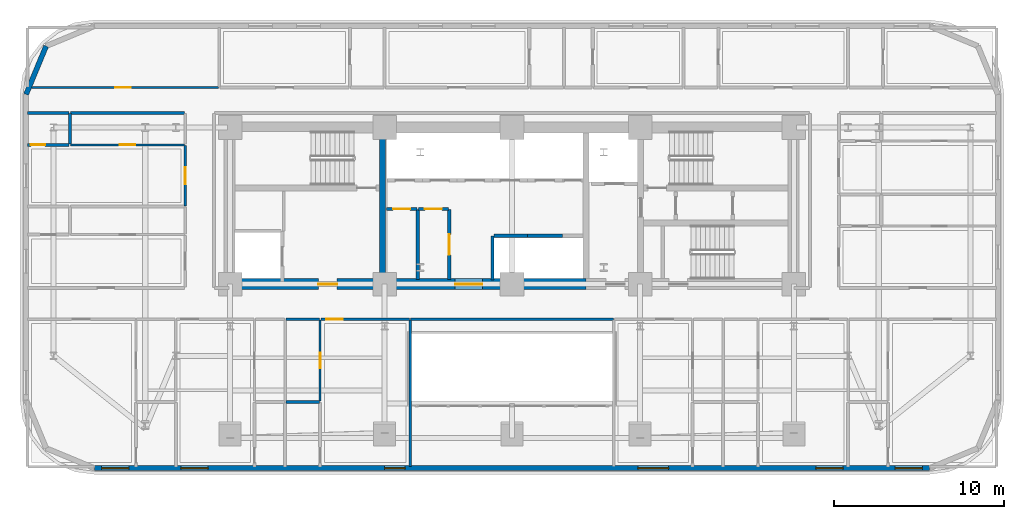
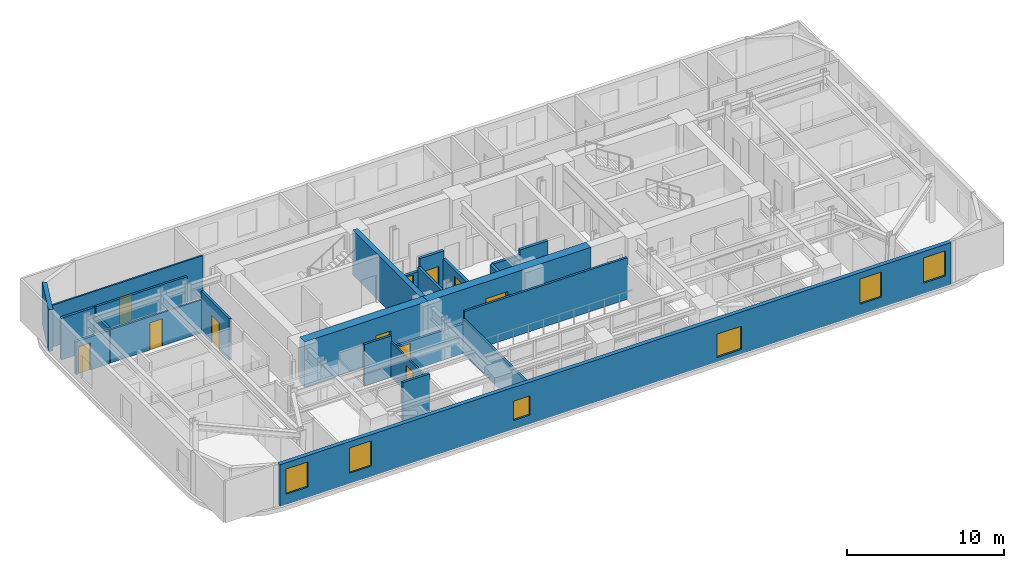
# One storey, part 9 of 16: 25 walls, 11 doors, 6 windows, 17 openings.
"""IFC4 building model written with IfcOpenShell, lengths in metres."""

from ifc_helpers import new_model, si_unit, direction, frame, frame_2d, origin, place, context, subcontext, project, spatial, rectangle, extrude, material, layer, layer_set, type_object, element, fill, save


model = new_model("IFC4")

# Units and contexts
model_context = context("Model", 3, precision=1e-05, world=origin(), true_north=direction((0.0, 1.0)))
body_context = subcontext(model_context, "Body", "Model", "MODEL_VIEW")
ifc_project = project(units=[si_unit("LENGTHUNIT", "METRE"), si_unit("AREAUNIT", "SQUARE_METRE"), si_unit("VOLUMEUNIT", "CUBIC_METRE"), si_unit("PLANEANGLEUNIT", "RADIAN"), si_unit("MASSUNIT", "GRAM", prefix="KILO")], contexts=[model_context])

# Site, building, storey
site_placement = place(None, origin())
site = spatial("IfcSite", under=ifc_project, at=site_placement, CompositionType="ELEMENT")
building_placement = place(site_placement, origin())
building = spatial("IfcBuilding", under=site, at=building_placement, Name="Zarnavel Station Tower", CompositionType="ELEMENT")
storey_placement = place(building_placement, frame((0.0, 0.0, 79.300048828125)))
storey = spatial("IfcBuildingStorey", under=building, at=storey_placement, Name="L21", CompositionType="ELEMENT", Elevation=79.300048828125)

# Wall
ifc_material_1 = material(Name="Concrete C50/60", Category="concrete")
ifc_layer_1 = layer(ifc_material_1, 0.35009765625)
ifc_layer_set_1 = layer_set([ifc_layer_1], Name="CW_350")
wall_type_1 = type_object("IfcWallType", Name="CW_350", PredefinedType="SHEAR", material=ifc_layer_set_1)
wall_1_placement = place(storey_placement, frame((21.179931640625, 28.14501953125, 0.0), z_axis=(0.0, 0.0, 1.0), x_axis=(0.0, 1.0, 0.0)))
element("IfcWall", 1, at=wall_1_placement, inside=storey, type_object=wall_type_1, Name="L21 Rear Core Shear Wall DIV-W", PredefinedType="SHEAR", context=body_context, shape_type="SweptSolid", body=[
    extrude(rectangle(XDim=8.580078125, YDim=0.35009765625, at=frame_2d((4.2900390625, 0.0))), origin(), (0.0, 0.0, 1.0), 3.5),
])

# Wall, opening, door
ifc_material_2 = material(Name="Concrete C60/75", Category="concrete")
ifc_layer_2 = layer(ifc_material_2, 0.64990234375)
ifc_layer_set_2 = layer_set([ifc_layer_2], Name="CW_650")
wall_type_2 = type_object("IfcWallType", Name="CW_650", PredefinedType="SHEAR", material=ifc_layer_set_2)
wall_2_placement = place(storey_placement, frame((21.179931640625, 27.820068359375, 0.0), z_axis=(0.0, 0.0, 1.0), x_axis=(-1.0, 0.0, 0.0)))
wall_2 = element("IfcWall", 2, at=wall_2_placement, inside=storey, type_object=wall_type_2, Name="L21 Rear Core Shear Wall S-W", PredefinedType="SHEAR", context=body_context, shape_type="SweptSolid", body=[
    extrude(rectangle(XDim=9.030029296875, YDim=0.64990234375, at=frame_2d((4.51513671875, 0.0))), origin(), (0.0, 0.0, 1.0), 3.5),
])
opening_1_placement = place(wall_2_placement, frame((2.679931640625, 0.0, 0.0)))
opening_1 = element("IfcOpeningElement", 3, at=opening_1_placement, cuts=wall_2, Name="Opening FD01", PredefinedType="OPENING", context=body_context, shape_type="SweptSolid", body=[
    extrude(rectangle(XDim=1.10009765625, YDim=2.14990234375, at=frame_2d((0.550048828125, 1.074951171875))), frame((0.0, 0.3349609375, 0.0), z_axis=(0.0, -1.0, 0.0), x_axis=(1.0, 0.0, 0.0)), (0.0, 0.0, 1.0), 0.669921875),
])
ifc_material_3 = material(Name="Painted Galvanised Steel and Hardwood Leaf", Category="steel")
door_type_1 = type_object("IfcDoorType", Name="ID_STAIR_1100", OperationType="NOTDEFINED", PredefinedType="DOOR", material=ifc_material_3)
door_1_placement = place(opening_1_placement, origin())
door_1 = element("IfcDoor", 4, at=door_1_placement, inside=storey, type_object=door_type_1, Name="L21 West Firefighting Lobby Door", OperationType="SINGLE_SWING_RIGHT", OverallHeight=2.14990234375, OverallWidth=1.10009765625, PredefinedType="DOOR", context=body_context, shape_type="SweptSolid", body=[
    extrude(rectangle(XDim=1.10009765625, YDim=2.14990234375, at=frame_2d((0.550048828125, 1.074951171875))), frame((0.0, 0.02490234375, 0.0), z_axis=(0.0, -1.0, 0.0), x_axis=(1.0, 0.0, 0.0)), (0.0, 0.0, 1.0), 0.050048828125),
])
fill(opening_1, door_1)

wall_3_placement = place(storey_placement, frame((33.14990234375, 27.820068359375, 0.0), z_axis=(0.0, 0.0, 1.0), x_axis=(-1.0, 0.0, 0.0)))
wall_3 = element("IfcWall", 5, at=wall_3_placement, inside=storey, type_object=wall_type_2, Name="L21 Rear Core Shear Wall S-M", PredefinedType="SHEAR", context=body_context, shape_type="SweptSolid", body=[
    extrude(rectangle(XDim=11.969970703125, YDim=0.64990234375, at=frame_2d((5.98486328125, 0.0))), origin(), (0.0, 0.0, 1.0), 3.5),
])
opening_2_placement = place(wall_3_placement, frame((6.10009765625, 0.0, 0.0)))
opening_2 = element("IfcOpeningElement", 6, at=opening_2_placement, cuts=wall_3, Name="Opening ID03", PredefinedType="OPENING", context=body_context, shape_type="SweptSolid", body=[
    extrude(rectangle(XDim=1.60009765625, YDim=2.199951171875, at=frame_2d((0.800048828125, 1.10009765625))), frame((0.0, 0.3349609375, 0.0), z_axis=(0.0, -1.0, 0.0), x_axis=(1.0, 0.0, 0.0)), (0.0, 0.0, 1.0), 0.669921875),
])
ifc_material_4 = material(Name="Painted Galvanised Steel and Hardwood Leaf", Category="steel")
door_type_2 = type_object("IfcDoorType", Name="ID_PUBLIC_1600", OperationType="DOUBLE_DOOR_SINGLE_SWING", PredefinedType="DOOR", material=ifc_material_4)
door_2_placement = place(opening_2_placement, origin())
door_2 = element("IfcDoor", 7, at=door_2_placement, inside=storey, type_object=door_type_2, Name="L21 Passenger Lift Lobby Double Door", OperationType="SINGLE_SWING_LEFT", OverallHeight=2.199951171875, OverallWidth=1.60009765625, PredefinedType="DOOR", context=body_context, shape_type="SweptSolid", body=[
    extrude(rectangle(XDim=1.60009765625, YDim=2.199951171875, at=frame_2d((0.800048828125, 1.10009765625))), frame((0.0, 0.02490234375, 0.0), z_axis=(0.0, -1.0, 0.0), x_axis=(1.0, 0.0, 0.0)), (0.0, 0.0, 1.0), 0.050048828125),
])
fill(opening_2, door_2)

# Wall
ifc_material_5 = material(Name="Precast concrete C45/55 (Dark Basalt Finish)", Category="masonry")
ifc_layer_3 = layer(ifc_material_5, 0.300048828125)
ifc_layer_set_3 = layer_set([ifc_layer_3], Name="EW_BASALT_300")
wall_type_3 = type_object("IfcWallType", Name="EW_BASALT_300", PredefinedType="SOLIDWALL", material=ifc_layer_set_3)
wall_4_placement = place(storey_placement, frame((0.179931640625, 39.0, 0.0), z_axis=(0.0, 0.0, 1.0), x_axis=(0.382704529509, 0.923870793506, 0.0)))
element("IfcWall", 8, at=wall_4_placement, inside=storey, type_object=wall_type_3, Name="L21 Exterior Basalt Masonry Frame Wall 08", PredefinedType="SOLIDWALL", context=body_context, shape_type="SweptSolid", body=[
    extrude(rectangle(XDim=3.07666015625, YDim=0.300048828125, at=frame_2d((1.538330078125, 0.0))), origin(), (0.0, 0.0, 1.0), 3.239990234375),
])

# Wall, openings, windows
wall_5_placement = place(storey_placement, frame((53.39990234375, 16.97998046875, 0.0), z_axis=(0.0, 0.0, 1.0), x_axis=(-1.0, 0.0, 0.0)))
wall_5 = element("IfcWall", 9, at=wall_5_placement, inside=storey, type_object=wall_type_3, Name="L21 Exterior Basalt Masonry Frame Wall 12", PredefinedType="SOLIDWALL", context=body_context, shape_type="SweptSolid", body=[
    extrude(rectangle(XDim=49.199951171875, YDim=0.300048828125, at=frame_2d((24.60009765625, 0.0))), origin(), (0.0, 0.0, 1.0), 3.239990234375),
])
opening_3_placement = place(wall_5_placement, frame((47.1650390625, 0.0, 0.800048828125)))
opening_3 = element("IfcOpeningElement", 10, at=opening_3_placement, cuts=wall_5, Name="Opening WN06", PredefinedType="OPENING", context=body_context, shape_type="SweptSolid", body=[
    extrude(rectangle(XDim=1.60009765625, YDim=1.949951171875, at=frame_2d((0.800048828125, 0.97509765625))), frame((0.0, 0.159912109375, 0.0), z_axis=(0.0, -1.0, 0.0), x_axis=(1.0, 0.0, 0.0)), (0.0, 0.0, 1.0), 0.320068359375),
])
opening_4_placement = place(wall_5_placement, frame((42.5, 0.0, 0.800048828125)))
opening_4 = element("IfcOpeningElement", 11, at=opening_4_placement, cuts=wall_5, Name="Opening WN06", PredefinedType="OPENING", context=body_context, shape_type="SweptSolid", body=[
    extrude(rectangle(XDim=1.60009765625, YDim=1.949951171875, at=frame_2d((0.800048828125, 0.97509765625))), frame((0.0, 0.159912109375, 0.0), z_axis=(0.0, -1.0, 0.0), x_axis=(1.0, 0.0, 0.0)), (0.0, 0.0, 1.0), 0.320068359375),
])
opening_5_placement = place(wall_5_placement, frame((30.89990234375, 0.0, 0.679931640625)))
opening_5 = element("IfcOpeningElement", 12, at=opening_5_placement, cuts=wall_5, Name="Opening WN08", PredefinedType="OPENING", context=body_context, shape_type="SweptSolid", body=[
    extrude(rectangle(XDim=1.199951171875, YDim=1.5, at=frame_2d((0.60009765625, 0.75))), frame((0.0, 0.159912109375, 0.0), z_axis=(0.0, -1.0, 0.0), x_axis=(1.0, 0.0, 0.0)), (0.0, 0.0, 1.0), 0.320068359375),
])
opening_6_placement = place(wall_5_placement, frame((15.381591796875, 0.0, 0.340087890625)))
opening_6 = element("IfcOpeningElement", 13, at=opening_6_placement, cuts=wall_5, Name="Opening WN02", PredefinedType="OPENING", context=body_context, shape_type="SweptSolid", body=[
    extrude(rectangle(XDim=1.800048828125, YDim=1.800048828125, at=frame_2d((0.89990234375, 0.89990234375))), frame((0.0, 0.159912109375, 0.0), z_axis=(0.0, -1.0, 0.0), x_axis=(1.0, 0.0, 0.0)), (0.0, 0.0, 1.0), 0.320068359375),
])
opening_7_placement = place(wall_5_placement, frame((5.10009765625, 0.0, 0.800048828125)))
opening_7 = element("IfcOpeningElement", 14, at=opening_7_placement, cuts=wall_5, Name="Opening WN06", PredefinedType="OPENING", context=body_context, shape_type="SweptSolid", body=[
    extrude(rectangle(XDim=1.60009765625, YDim=1.949951171875, at=frame_2d((0.800048828125, 0.97509765625))), frame((0.0, 0.159912109375, 0.0), z_axis=(0.0, -1.0, 0.0), x_axis=(1.0, 0.0, 0.0)), (0.0, 0.0, 1.0), 0.320068359375),
])
opening_8_placement = place(wall_5_placement, frame((0.43505859375, 0.0, 0.800048828125)))
opening_8 = element("IfcOpeningElement", 15, at=opening_8_placement, cuts=wall_5, Name="Opening WN06", PredefinedType="OPENING", context=body_context, shape_type="SweptSolid", body=[
    extrude(rectangle(XDim=1.60009765625, YDim=1.949951171875, at=frame_2d((0.800048828125, 0.97509765625))), frame((0.0, 0.159912109375, 0.0), z_axis=(0.0, -1.0, 0.0), x_axis=(1.0, 0.0, 0.0)), (0.0, 0.0, 1.0), 0.320068359375),
])
ifc_material_6 = material(Name="Thermally Broken Black Aluminium and Low-E Dark Glass", Category="aluminium")
window_type_1 = type_object("IfcWindowType", Name="WN_1200x1500", PartitioningType="SINGLE_PANEL", PredefinedType="WINDOW", material=ifc_material_6)
window_1_placement = place(opening_5_placement, origin())
window_1 = element("IfcWindow", 16, at=window_1_placement, inside=storey, type_object=window_type_1, Name="L21 Recessed Facade Window 03", OverallHeight=1.5, OverallWidth=1.199951171875, PartitioningType="SINGLE_PANEL", PredefinedType="WINDOW", context=body_context, shape_type="SweptSolid", body=[
    extrude(rectangle(XDim=1.199951171875, YDim=1.5, at=frame_2d((0.60009765625, 0.75))), frame((0.0, 0.030029296875, 0.0), z_axis=(0.0, -1.0, 0.0), x_axis=(1.0, 0.0, 0.0)), (0.0, 0.0, 1.0), 0.06005859375),
])
fill(opening_5, window_1)
ifc_material_7 = material(Name="Thermally Broken Black Aluminium and Low-E Dark Glass", Category="aluminium")
window_type_2 = type_object("IfcWindowType", Name="WN_1600x1950", PartitioningType="DOUBLE_PANEL_VERTICAL", PredefinedType="WINDOW", material=ifc_material_7)
window_2_placement = place(opening_3_placement, origin())
window_2 = element("IfcWindow", 17, at=window_2_placement, inside=storey, type_object=window_type_2, Name="L21 Recessed Facade Window 01", OverallHeight=1.949951171875, OverallWidth=1.60009765625, PartitioningType="SINGLE_PANEL", PredefinedType="WINDOW", context=body_context, shape_type="SweptSolid", body=[
    extrude(rectangle(XDim=1.60009765625, YDim=1.949951171875, at=frame_2d((0.800048828125, 0.97509765625))), frame((0.0, 0.030029296875, 0.0), z_axis=(0.0, -1.0, 0.0), x_axis=(1.0, 0.0, 0.0)), (0.0, 0.0, 1.0), 0.06005859375),
])
fill(opening_3, window_2)
window_3_placement = place(opening_4_placement, origin())
window_3 = element("IfcWindow", 18, at=window_3_placement, inside=storey, type_object=window_type_2, Name="L21 Recessed Facade Window 02", OverallHeight=1.949951171875, OverallWidth=1.60009765625, PartitioningType="SINGLE_PANEL", PredefinedType="WINDOW", context=body_context, shape_type="SweptSolid", body=[
    extrude(rectangle(XDim=1.60009765625, YDim=1.949951171875, at=frame_2d((0.800048828125, 0.97509765625))), frame((0.0, 0.030029296875, 0.0), z_axis=(0.0, -1.0, 0.0), x_axis=(1.0, 0.0, 0.0)), (0.0, 0.0, 1.0), 0.06005859375),
])
fill(opening_4, window_3)
window_4_placement = place(opening_7_placement, origin())
window_4 = element("IfcWindow", 19, at=window_4_placement, inside=storey, type_object=window_type_2, Name="L21 Recessed Facade Window 05", OverallHeight=1.949951171875, OverallWidth=1.60009765625, PartitioningType="SINGLE_PANEL", PredefinedType="WINDOW", context=body_context, shape_type="SweptSolid", body=[
    extrude(rectangle(XDim=1.60009765625, YDim=1.949951171875, at=frame_2d((0.800048828125, 0.97509765625))), frame((0.0, 0.030029296875, 0.0), z_axis=(0.0, -1.0, 0.0), x_axis=(1.0, 0.0, 0.0)), (0.0, 0.0, 1.0), 0.06005859375),
])
fill(opening_7, window_4)
window_5_placement = place(opening_8_placement, origin())
window_5 = element("IfcWindow", 20, at=window_5_placement, inside=storey, type_object=window_type_2, Name="L21 Recessed Facade Window 06", OverallHeight=1.949951171875, OverallWidth=1.60009765625, PartitioningType="SINGLE_PANEL", PredefinedType="WINDOW", context=body_context, shape_type="SweptSolid", body=[
    extrude(rectangle(XDim=1.60009765625, YDim=1.949951171875, at=frame_2d((0.800048828125, 0.97509765625))), frame((0.0, 0.030029296875, 0.0), z_axis=(0.0, -1.0, 0.0), x_axis=(1.0, 0.0, 0.0)), (0.0, 0.0, 1.0), 0.06005859375),
])
fill(opening_8, window_5)
ifc_material_8 = material(Name="Thermally Broken Black Aluminium and Low-E Dark Glass", Category="aluminium")
window_type_3 = type_object("IfcWindowType", Name="WN_1800x1800", PartitioningType="DOUBLE_PANEL_VERTICAL", PredefinedType="WINDOW", material=ifc_material_8)
window_6_placement = place(opening_6_placement, origin())
window_6 = element("IfcWindow", 21, at=window_6_placement, inside=storey, type_object=window_type_3, Name="L21 Recessed Facade Window 04", OverallHeight=1.800048828125, OverallWidth=1.800048828125, PartitioningType="SINGLE_PANEL", PredefinedType="WINDOW", context=body_context, shape_type="SweptSolid", body=[
    extrude(rectangle(XDim=1.800048828125, YDim=1.800048828125, at=frame_2d((0.89990234375, 0.89990234375))), frame((0.0, 0.030029296875, 0.0), z_axis=(0.0, -1.0, 0.0), x_axis=(1.0, 0.0, 0.0)), (0.0, 0.0, 1.0), 0.06005859375),
])
fill(opening_6, window_6)

# Wall, opening, door
ifc_material_9 = material(Name="Gypsum Twin-Stud Acoustic Fire Partition", Category="concrete")
ifc_layer_4 = layer(ifc_material_9, 0.159912109375)
ifc_layer_set_4 = layer_set([ifc_layer_4], Name="PT_DEMISE_160")
wall_type_4 = type_object("IfcWallType", Name="PT_DEMISE_160", PredefinedType="PARTITIONING", material=ifc_layer_set_4)
wall_6_placement = place(storey_placement, frame((17.541015625, 25.75, 0.0), z_axis=(0.0, 0.0, 1.0), x_axis=(1.0, 0.0, 0.0)))
wall_6 = element("IfcWall", 22, at=wall_6_placement, inside=storey, type_object=wall_type_4, Name="L21 Partition COR-S-HW3R", PredefinedType="PARTITIONING", context=body_context, shape_type="SweptSolid", body=[
    extrude(rectangle(XDim=5.218994140625, YDim=0.159912109375, at=frame_2d((2.609375, 0.0))), origin(), (0.0, 0.0, 1.0), 2.31005859375),
])
opening_9_placement = place(wall_6_placement, frame((0.30419921875, 0.0, 0.0)))
opening_9 = element("IfcOpeningElement", 23, at=opening_9_placement, cuts=wall_6, Name="Opening FD02", PredefinedType="OPENING", context=body_context, shape_type="SweptSolid", body=[
    extrude(rectangle(XDim=1.0, YDim=2.14990234375, at=frame_2d((0.5, 1.074951171875))), frame((0.0, 0.08984375, 0.0), z_axis=(0.0, -1.0, 0.0), x_axis=(1.0, 0.0, 0.0)), (0.0, 0.0, 1.0), 0.179931640625),
])
ifc_material_10 = material(Name="Painted Galvanised Steel and Hardwood Leaf", Category="steel")
door_type_3 = type_object("IfcDoorType", Name="ID_ENTRY_1000", OperationType="NOTDEFINED", PredefinedType="DOOR", material=ifc_material_10)
door_3_placement = place(opening_9_placement, origin())
door_3 = element("IfcDoor", 24, at=door_3_placement, inside=storey, type_object=door_type_3, Name="L21 Door COR-S-HW3R", OperationType="SINGLE_SWING_LEFT", OverallHeight=2.14990234375, OverallWidth=1.0, PredefinedType="DOOR", context=body_context, shape_type="SweptSolid", body=[
    extrude(rectangle(XDim=1.0, YDim=2.14990234375, at=frame_2d((0.5, 1.074951171875))), frame((0.0, 0.02490234375, 0.0), z_axis=(0.0, -1.0, 0.0), x_axis=(1.0, 0.0, 0.0)), (0.0, 0.0, 1.0), 0.050048828125),
])
fill(opening_9, door_3)

# Wall
wall_7_placement = place(storey_placement, frame((15.47998046875, 25.75, 0.0), z_axis=(0.0, 0.0, 1.0), x_axis=(1.0, 0.0, 0.0)))
element("IfcWall", 25, at=wall_7_placement, inside=storey, type_object=wall_type_4, Name="L21 Partition COR-S-HW3S", PredefinedType="PARTITIONING", context=body_context, shape_type="SweptSolid", body=[
    extrude(rectangle(XDim=1.98095703125, YDim=0.159912109375, at=frame_2d((0.990478515625, 0.0))), origin(), (0.0, 0.0, 1.0), 3.239990234375),
])

# Wall, opening, door
wall_8_placement = place(storey_placement, frame((9.550048828125, 32.430908203125, 0.0), z_axis=(0.0, 0.0, 1.0), x_axis=(0.0, 1.0, 0.0)))
wall_8 = element("IfcWall", 26, at=wall_8_placement, inside=storey, type_object=wall_type_4, Name="L21 Partition COR-W-FNW2R", PredefinedType="PARTITIONING", context=body_context, shape_type="SweptSolid", body=[
    extrude(rectangle(XDim=3.55615234375, YDim=0.159912109375, at=frame_2d((1.778076171875, 0.0))), origin(), (0.0, 0.0, 1.0), 3.239990234375),
])
opening_10_placement = place(wall_8_placement, frame((1.278076171875, 0.0, 0.0)))
opening_10 = element("IfcOpeningElement", 27, at=opening_10_placement, cuts=wall_8, Name="Opening FD02", PredefinedType="OPENING", context=body_context, shape_type="SweptSolid", body=[
    extrude(rectangle(XDim=1.0, YDim=2.14990234375, at=frame_2d((0.5, 1.074951171875))), frame((0.0, 0.08984375, 0.0), z_axis=(0.0, -1.0, 0.0), x_axis=(1.0, 0.0, 0.0)), (0.0, 0.0, 1.0), 0.179931640625),
])
door_4_placement = place(opening_10_placement, origin())
door_4 = element("IfcDoor", 28, at=door_4_placement, inside=storey, type_object=door_type_3, Name="L21 Door COR-W-FNW2R", OperationType="SINGLE_SWING_RIGHT", OverallHeight=2.14990234375, OverallWidth=1.0, PredefinedType="DOOR", context=body_context, shape_type="SweptSolid", body=[
    extrude(rectangle(XDim=1.0, YDim=2.14990234375, at=frame_2d((0.5, 1.074951171875))), frame((0.0, 0.02490234375, 0.0), z_axis=(0.0, -1.0, 0.0), x_axis=(1.0, 0.0, 0.0)), (0.0, 0.0, 1.0), 0.050048828125),
])
fill(opening_10, door_4)

# Walls
wall_9_placement = place(storey_placement, frame((2.800048828125, 37.89990234375, 0.0), z_axis=(0.0, 0.0, 1.0), x_axis=(1.0, 0.0, 0.0)))
element("IfcWall", 29, at=wall_9_placement, inside=storey, type_object=wall_type_4, Name="L21 Partition COR-N-FNW2S", PredefinedType="PARTITIONING", context=body_context, shape_type="SweptSolid", body=[
    extrude(rectangle(XDim=6.7099609375, YDim=0.159912109375, at=frame_2d((3.35498046875, 0.0))), origin(), (0.0, 0.0, 1.0), 3.239990234375),
])
wall_10_placement = place(storey_placement, frame((22.830078125, 25.75, 0.0), z_axis=(0.0, 0.0, 1.0), x_axis=(1.0, 0.0, 0.0)))
element("IfcWall", 30, at=wall_10_placement, inside=storey, type_object=wall_type_4, Name="L21 Enclosure Wall COR-S", PredefinedType="PARTITIONING", context=body_context, shape_type="SweptSolid", body=[
    extrude(rectangle(XDim=11.93994140625, YDim=0.159912109375, at=frame_2d((5.969970703125, 0.0))), origin(), (0.0, 0.0, 1.0), 3.239990234375),
])
wall_11_placement = place(storey_placement, frame((22.800048828125, 17.090087890625, 0.0), z_axis=(0.0, 0.0, 1.0), x_axis=(0.0, 1.0, 0.0)))
element("IfcWall", 31, at=wall_11_placement, inside=storey, type_object=wall_type_4, Name="L21 Enclosure Wall HW3R", PredefinedType="PARTITIONING", context=body_context, shape_type="SweptSolid", body=[
    extrude(rectangle(XDim=8.6298828125, YDim=0.159912109375, at=frame_2d((4.31494140625, 0.0))), origin(), (0.0, 0.0, 1.0), 2.679931640625),
])

# Wall, opening, door
ifc_material_11 = material(Name="Gypsum Metal-Stud Interior Partition", Category="concrete")
ifc_layer_5 = layer(ifc_material_11, 0.1201171875)
ifc_layer_set_5 = layer_set([ifc_layer_5], Name="PT_ROOM_120")
wall_type_5 = type_object("IfcWallType", Name="PT_ROOM_120", PredefinedType="PARTITIONING", material=ifc_layer_set_5)
wall_12_placement = place(storey_placement, frame((0.260009765625, 39.39990234375, 0.0), z_axis=(0.0, 0.0, 1.0), x_axis=(1.0, 0.0, 0.0)))
wall_12 = element("IfcWall", 32, at=wall_12_placement, inside=storey, type_object=wall_type_5, Name="L21 Partition COR-N-HSKP", PredefinedType="PARTITIONING", context=body_context, shape_type="SweptSolid", body=[
    extrude(rectangle(XDim=11.260009765625, YDim=0.1201171875, at=frame_2d((5.6298828125, 0.0))), origin(), (0.0, 0.0, 1.0), 3.239990234375),
])
opening_11_placement = place(wall_12_placement, frame((5.179931640625, 0.0, 0.0)))
opening_11 = element("IfcOpeningElement", 33, at=opening_11_placement, cuts=wall_12, Name="Opening ID01", PredefinedType="OPENING", context=body_context, shape_type="SweptSolid", body=[
    extrude(rectangle(XDim=0.89990234375, YDim=2.10009765625, at=frame_2d((0.449951171875, 1.050048828125))), frame((0.0, 0.070068359375, 0.0), z_axis=(0.0, -1.0, 0.0), x_axis=(1.0, 0.0, 0.0)), (0.0, 0.0, 1.0), 0.14013671875),
])
ifc_material_12 = material(Name="Painted Galvanised Steel and Hardwood Leaf", Category="steel")
door_type_4 = type_object("IfcDoorType", Name="ID_ROOM_900", OperationType="NOTDEFINED", PredefinedType="DOOR", material=ifc_material_12)
door_5_placement = place(opening_11_placement, origin())
door_5 = element("IfcDoor", 34, at=door_5_placement, inside=storey, type_object=door_type_4, Name="L21 Door COR-N-HSKP", OperationType="SINGLE_SWING_LEFT", OverallHeight=2.10009765625, OverallWidth=0.89990234375, PredefinedType="DOOR", context=body_context, shape_type="SweptSolid", body=[
    extrude(rectangle(XDim=0.89990234375, YDim=2.10009765625, at=frame_2d((0.449951171875, 1.050048828125))), frame((0.0, 0.02490234375, 0.0), z_axis=(0.0, -1.0, 0.0), x_axis=(1.0, 0.0, 0.0)), (0.0, 0.0, 1.0), 0.050048828125),
])
fill(opening_11, door_5)

wall_13_placement = place(storey_placement, frame((2.800048828125, 36.027099609375, 0.0), z_axis=(0.0, 0.0, 1.0), x_axis=(1.0, 0.0, 0.0)))
wall_13 = element("IfcWall", 35, at=wall_13_placement, inside=storey, type_object=wall_type_5, Name="L21 Partition FNW2R-FNW2S", PredefinedType="PARTITIONING", context=body_context, shape_type="SweptSolid", body=[
    extrude(rectangle(XDim=6.7099609375, YDim=0.1201171875, at=frame_2d((3.35498046875, 0.0))), origin(), (0.0, 0.0, 1.0), 2.570068359375),
])
opening_12_placement = place(wall_13_placement, frame((2.905029296875, 0.0, 0.0)))
opening_12 = element("IfcOpeningElement", 36, at=opening_12_placement, cuts=wall_13, Name="Opening ID01", PredefinedType="OPENING", context=body_context, shape_type="SweptSolid", body=[
    extrude(rectangle(XDim=0.89990234375, YDim=2.10009765625, at=frame_2d((0.449951171875, 1.050048828125))), frame((0.0, 0.070068359375, 0.0), z_axis=(0.0, -1.0, 0.0), x_axis=(1.0, 0.0, 0.0)), (0.0, 0.0, 1.0), 0.14013671875),
])
door_6_placement = place(opening_12_placement, origin())
door_6 = element("IfcDoor", 37, at=door_6_placement, inside=storey, type_object=door_type_4, Name="L21 Door FNW2R-FNW2S", OperationType="SINGLE_SWING_RIGHT", OverallHeight=2.10009765625, OverallWidth=0.89990234375, PredefinedType="DOOR", context=body_context, shape_type="SweptSolid", body=[
    extrude(rectangle(XDim=0.89990234375, YDim=2.10009765625, at=frame_2d((0.449951171875, 1.050048828125))), frame((0.0, 0.02490234375, 0.0), z_axis=(0.0, -1.0, 0.0), x_axis=(1.0, 0.0, 0.0)), (0.0, 0.0, 1.0), 0.050048828125),
])
fill(opening_12, door_6)

wall_14_placement = place(storey_placement, frame((17.5009765625, 20.924072265625, 0.0), z_axis=(0.0, 0.0, 1.0), x_axis=(0.0, 1.0, 0.0)))
wall_14 = element("IfcWall", 38, at=wall_14_placement, inside=storey, type_object=wall_type_5, Name="L21 Partition HW3R-HW3S", PredefinedType="PARTITIONING", context=body_context, shape_type="SweptSolid", body=[
    extrude(rectangle(XDim=4.785888671875, YDim=0.1201171875, at=frame_2d((2.39306640625, 0.0))), origin(), (0.0, 0.0, 1.0), 2.719970703125),
])
opening_13_placement = place(wall_14_placement, frame((1.943115234375, 0.0, 0.0)))
opening_13 = element("IfcOpeningElement", 39, at=opening_13_placement, cuts=wall_14, Name="Opening ID01", PredefinedType="OPENING", context=body_context, shape_type="SweptSolid", body=[
    extrude(rectangle(XDim=0.89990234375, YDim=2.10009765625, at=frame_2d((0.449951171875, 1.050048828125))), frame((0.0, 0.070068359375, 0.0), z_axis=(0.0, -1.0, 0.0), x_axis=(1.0, 0.0, 0.0)), (0.0, 0.0, 1.0), 0.14013671875),
])
door_7_placement = place(opening_13_placement, origin())
door_7 = element("IfcDoor", 40, at=door_7_placement, inside=storey, type_object=door_type_4, Name="L21 Door HW3R-HW3S", OperationType="SINGLE_SWING_LEFT", OverallHeight=2.10009765625, OverallWidth=0.89990234375, PredefinedType="DOOR", context=body_context, shape_type="SweptSolid", body=[
    extrude(rectangle(XDim=0.89990234375, YDim=2.10009765625, at=frame_2d((0.449951171875, 1.050048828125))), frame((0.0, 0.02490234375, 0.0), z_axis=(0.0, -1.0, 0.0), x_axis=(1.0, 0.0, 0.0)), (0.0, 0.0, 1.0), 0.050048828125),
])
fill(opening_13, door_7)

# Walls
ifc_material_13 = material(Name="Precast concrete C45/55 (Fire Shaft Blockwork)", Category="masonry")
ifc_layer_6 = layer(ifc_material_13, 0.199951171875)
ifc_layer_set_6 = layer_set([ifc_layer_6], Name="PT_SHAFT_200")
wall_type_6 = type_object("IfcWallType", Name="PT_SHAFT_200", PredefinedType="PARTITIONING", material=ifc_layer_set_6)
wall_15_placement = place(storey_placement, frame((27.75, 30.669921875, 0.0), z_axis=(0.0, 0.0, 1.0), x_axis=(1.0, 0.0, 0.0)))
element("IfcWall", 41, at=wall_15_placement, inside=storey, type_object=wall_type_6, Name="L21 Lift PL-H1 Shaft Front Wall", PredefinedType="PARTITIONING", context=body_context, shape_type="SweptSolid", body=[
    extrude(rectangle(XDim=1.97509765625, YDim=0.199951171875, at=frame_2d((0.987548828125, 0.0))), origin(), (0.0, 0.0, 1.0), 2.2119140625),
])
wall_16_placement = place(storey_placement, frame((27.64990234375, 28.070068359375, 0.0), z_axis=(0.0, 0.0, 1.0), x_axis=(0.0, 1.0, 0.0)))
element("IfcWall", 42, at=wall_16_placement, inside=storey, type_object=wall_type_6, Name="L21 High-Rise Lift Bank West Shaft Wall", PredefinedType="PARTITIONING", context=body_context, shape_type="SweptSolid", body=[
    extrude(rectangle(XDim=2.579833984375, YDim=0.199951171875, at=frame_2d((1.2900390625, 0.0))), origin(), (0.0, 0.0, 1.0), 2.2119140625),
])
wall_17_placement = place(storey_placement, frame((29.72509765625, 30.669921875, 0.0), z_axis=(0.0, 0.0, 1.0), x_axis=(1.0, 0.0, 0.0)))
element("IfcWall", 43, at=wall_17_placement, inside=storey, type_object=wall_type_6, Name="L21 Lift PL-H2 Shaft Front Wall", PredefinedType="PARTITIONING", context=body_context, shape_type="SweptSolid", body=[
    extrude(rectangle(XDim=2.0498046875, YDim=0.199951171875, at=frame_2d((1.02490234375, 0.0))), origin(), (0.0, 0.0, 1.0), 2.619873046875),
])

# Wall, opening, door
wall_18_placement = place(storey_placement, frame((21.39990234375, 32.25, 0.0), z_axis=(0.0, 0.0, 1.0), x_axis=(1.0, 0.0, 0.0)))
wall_18 = element("IfcWall", 44, at=wall_18_placement, inside=storey, type_object=wall_type_6, Name="L21 Partition LLOB-CS1", PredefinedType="PARTITIONING", context=body_context, shape_type="SweptSolid", body=[
    extrude(rectangle(XDim=1.81005859375, YDim=0.199951171875, at=frame_2d((0.905029296875, 0.0))), origin(), (0.0, 0.0, 1.0), 2.280029296875),
])
opening_14_placement = place(wall_18_placement, frame((0.405029296875, 0.0, 0.0)))
opening_14 = element("IfcOpeningElement", 45, at=opening_14_placement, cuts=wall_18, Name="Opening FD02", PredefinedType="OPENING", context=body_context, shape_type="SweptSolid", body=[
    extrude(rectangle(XDim=1.0, YDim=2.14990234375, at=frame_2d((0.5, 1.074951171875))), frame((0.0, 0.10986328125, 0.0), z_axis=(0.0, -1.0, 0.0), x_axis=(1.0, 0.0, 0.0)), (0.0, 0.0, 1.0), 0.219970703125),
])
door_8_placement = place(opening_14_placement, origin())
door_8 = element("IfcDoor", 46, at=door_8_placement, inside=storey, type_object=door_type_3, Name="L21 Door LLOB-CS1", OperationType="SINGLE_SWING_RIGHT", OverallHeight=2.14990234375, OverallWidth=1.0, PredefinedType="DOOR", context=body_context, shape_type="SweptSolid", body=[
    extrude(rectangle(XDim=1.0, YDim=2.14990234375, at=frame_2d((0.5, 1.074951171875))), frame((0.0, 0.02490234375, 0.0), z_axis=(0.0, -1.0, 0.0), x_axis=(1.0, 0.0, 0.0)), (0.0, 0.0, 1.0), 0.050048828125),
])
fill(opening_14, door_8)

wall_19_placement = place(storey_placement, frame((23.2900390625, 32.25, 0.0), z_axis=(0.0, 0.0, 1.0), x_axis=(1.0, 0.0, 0.0)))
wall_19 = element("IfcWall", 47, at=wall_19_placement, inside=storey, type_object=wall_type_6, Name="L21 Partition LLOB-CS2", PredefinedType="PARTITIONING", context=body_context, shape_type="SweptSolid", body=[
    extrude(rectangle(XDim=1.77001953125, YDim=0.199951171875, at=frame_2d((0.885009765625, 0.0))), origin(), (0.0, 0.0, 1.0), 3.239990234375),
])
opening_15_placement = place(wall_19_placement, frame((0.385009765625, 0.0, 0.0)))
opening_15 = element("IfcOpeningElement", 48, at=opening_15_placement, cuts=wall_19, Name="Opening FD02", PredefinedType="OPENING", context=body_context, shape_type="SweptSolid", body=[
    extrude(rectangle(XDim=1.0, YDim=2.14990234375, at=frame_2d((0.5, 1.074951171875))), frame((0.0, 0.10986328125, 0.0), z_axis=(0.0, -1.0, 0.0), x_axis=(1.0, 0.0, 0.0)), (0.0, 0.0, 1.0), 0.219970703125),
])
door_9_placement = place(opening_15_placement, origin())
door_9 = element("IfcDoor", 49, at=door_9_placement, inside=storey, type_object=door_type_3, Name="L21 Door LLOB-CS2", OperationType="SINGLE_SWING_LEFT", OverallHeight=2.14990234375, OverallWidth=1.0, PredefinedType="DOOR", context=body_context, shape_type="SweptSolid", body=[
    extrude(rectangle(XDim=1.0, YDim=2.14990234375, at=frame_2d((0.5, 1.074951171875))), frame((0.0, 0.02490234375, 0.0), z_axis=(0.0, -1.0, 0.0), x_axis=(1.0, 0.0, 0.0)), (0.0, 0.0, 1.0), 0.050048828125),
])
fill(opening_15, door_9)

wall_20_placement = place(storey_placement, frame((25.10009765625, 28.090087890625, 0.0), z_axis=(0.0, 0.0, 1.0), x_axis=(0.0, 1.0, 0.0)))
wall_20 = element("IfcWall", 50, at=wall_20_placement, inside=storey, type_object=wall_type_6, Name="L21 Partition LLOBS-CS2", PredefinedType="PARTITIONING", context=body_context, shape_type="SweptSolid", body=[
    extrude(rectangle(XDim=4.119873046875, YDim=0.199951171875, at=frame_2d((2.06005859375, 0.0))), origin(), (0.0, 0.0, 1.0), 2.619873046875),
])
opening_16_placement = place(wall_20_placement, frame((1.4599609375, 0.0, 0.0)))
opening_16 = element("IfcOpeningElement", 51, at=opening_16_placement, cuts=wall_20, Name="Opening FD03", PredefinedType="OPENING", context=body_context, shape_type="SweptSolid", body=[
    extrude(rectangle(XDim=1.199951171875, YDim=2.14990234375, at=frame_2d((0.60009765625, 1.074951171875))), frame((0.0, 0.10986328125, 0.0), z_axis=(0.0, -1.0, 0.0), x_axis=(1.0, 0.0, 0.0)), (0.0, 0.0, 1.0), 0.219970703125),
])
ifc_material_14 = material(Name="Painted Galvanised Steel and Hardwood Leaf", Category="steel")
door_type_5 = type_object("IfcDoorType", Name="ID_PLANT_1200", OperationType="NOTDEFINED", PredefinedType="DOOR", material=ifc_material_14)
door_10_placement = place(opening_16_placement, origin())
door_10 = element("IfcDoor", 52, at=door_10_placement, inside=storey, type_object=door_type_5, Name="L21 Door LLOBS-CS2", OperationType="SINGLE_SWING_RIGHT", OverallHeight=2.14990234375, OverallWidth=1.199951171875, PredefinedType="DOOR", context=body_context, shape_type="SweptSolid", body=[
    extrude(rectangle(XDim=1.199951171875, YDim=2.14990234375, at=frame_2d((0.60009765625, 1.074951171875))), frame((0.0, 0.02490234375, 0.0), z_axis=(0.0, -1.0, 0.0), x_axis=(1.0, 0.0, 0.0)), (0.0, 0.0, 1.0), 0.050048828125),
])
fill(opening_16, door_10)

# Walls
wall_21_placement = place(storey_placement, frame((23.25, 28.090087890625, 0.0), z_axis=(0.0, 0.0, 1.0), x_axis=(0.0, 1.0, 0.0)))
element("IfcWall", 53, at=wall_21_placement, inside=storey, type_object=wall_type_6, Name="L21 Partition CS1-CS2", PredefinedType="PARTITIONING", context=body_context, shape_type="SweptSolid", body=[
    extrude(rectangle(XDim=4.119873046875, YDim=0.199951171875, at=frame_2d((2.06005859375, 0.0))), origin(), (0.0, 0.0, 1.0), 2.619873046875),
])
ifc_material_15 = material(Name="Moisture-Resistant Plumbing Chase Wall", Category="concrete")
ifc_layer_7 = layer(ifc_material_15, 0.179931640625)
ifc_layer_set_7 = layer_set([ifc_layer_7], Name="PW_PLUMB_180")
wall_type_7 = type_object("IfcWallType", Name="PW_PLUMB_180", PredefinedType="PLUMBINGWALL", material=ifc_layer_set_7)
wall_22_placement = place(storey_placement, frame((0.260009765625, 37.89990234375, 0.0), z_axis=(0.0, 0.0, 1.0), x_axis=(1.0, 0.0, 0.0)))
element("IfcWall", 54, at=wall_22_placement, inside=storey, type_object=wall_type_7, Name="L21 Partition COR-N-FNW2B", PredefinedType="PLUMBINGWALL", context=body_context, shape_type="SweptSolid", body=[
    extrude(rectangle(XDim=2.4599609375, YDim=0.179931640625, at=frame_2d((1.22998046875, 0.0))), origin(), (0.0, 0.0, 1.0), 3.239990234375),
])

# Wall, opening, door
wall_23_placement = place(storey_placement, frame((0.260009765625, 36.027099609375, 0.0), z_axis=(0.0, 0.0, 1.0), x_axis=(1.0, 0.0, 0.0)))
wall_23 = element("IfcWall", 55, at=wall_23_placement, inside=storey, type_object=wall_type_7, Name="L21 Partition FNW2R-FNW2B", PredefinedType="PLUMBINGWALL", context=body_context, shape_type="SweptSolid", body=[
    extrude(rectangle(XDim=2.4599609375, YDim=0.179931640625, at=frame_2d((1.22998046875, 0.0))), origin(), (0.0, 0.0, 1.0), 2.570068359375),
])
opening_17_placement = place(wall_23_placement, frame((0.1953125, 0.0, 0.0)))
opening_17 = element("IfcOpeningElement", 56, at=opening_17_placement, cuts=wall_23, Name="Opening ID02", PredefinedType="OPENING", context=body_context, shape_type="SweptSolid", body=[
    extrude(rectangle(XDim=0.85009765625, YDim=2.10009765625, at=frame_2d((0.425048828125, 1.050048828125))), frame((0.0, 0.099853515625, 0.0), z_axis=(0.0, -1.0, 0.0), x_axis=(1.0, 0.0, 0.0)), (0.0, 0.0, 1.0), 0.199951171875),
])
ifc_material_16 = material(Name="Painted Galvanised Steel and Hardwood Leaf", Category="steel")
door_type_6 = type_object("IfcDoorType", Name="ID_BATH_850", OperationType="NOTDEFINED", PredefinedType="DOOR", material=ifc_material_16)
door_11_placement = place(opening_17_placement, origin())
door_11 = element("IfcDoor", 57, at=door_11_placement, inside=storey, type_object=door_type_6, Name="L21 Door FNW2R-FNW2B", OperationType="SINGLE_SWING_LEFT", OverallHeight=2.10009765625, OverallWidth=0.85009765625, PredefinedType="DOOR", context=body_context, shape_type="SweptSolid", body=[
    extrude(rectangle(XDim=0.85009765625, YDim=2.10009765625, at=frame_2d((0.425048828125, 1.050048828125))), frame((0.0, 0.02490234375, 0.0), z_axis=(0.0, -1.0, 0.0), x_axis=(1.0, 0.0, 0.0)), (0.0, 0.0, 1.0), 0.050048828125),
])
fill(opening_17, door_11)

# Walls
wall_24_placement = place(storey_placement, frame((2.760009765625, 36.06689453125, 0.0), z_axis=(0.0, 0.0, 1.0), x_axis=(0.0, 1.0, 0.0)))
element("IfcWall", 58, at=wall_24_placement, inside=storey, type_object=wall_type_7, Name="L21 Partition FNW2B-FNW2S", PredefinedType="PLUMBINGWALL", context=body_context, shape_type="SweptSolid", body=[
    extrude(rectangle(XDim=1.793212890625, YDim=0.179931640625, at=frame_2d((0.896484375, 0.0))), origin(), (0.0, 0.0, 1.0), 2.719970703125),
])
wall_25_placement = place(storey_placement, frame((15.47998046875, 20.884033203125, 0.0), z_axis=(0.0, 0.0, 1.0), x_axis=(1.0, 0.0, 0.0)))
element("IfcWall", 59, at=wall_25_placement, inside=storey, type_object=wall_type_7, Name="L21 Partition HW3B-HW3S", PredefinedType="PLUMBINGWALL", context=body_context, shape_type="SweptSolid", body=[
    extrude(rectangle(XDim=1.98095703125, YDim=0.179931640625, at=frame_2d((0.990478515625, 0.0))), origin(), (0.0, 0.0, 1.0), 3.239990234375),
])

save(model, "model.ifc")
